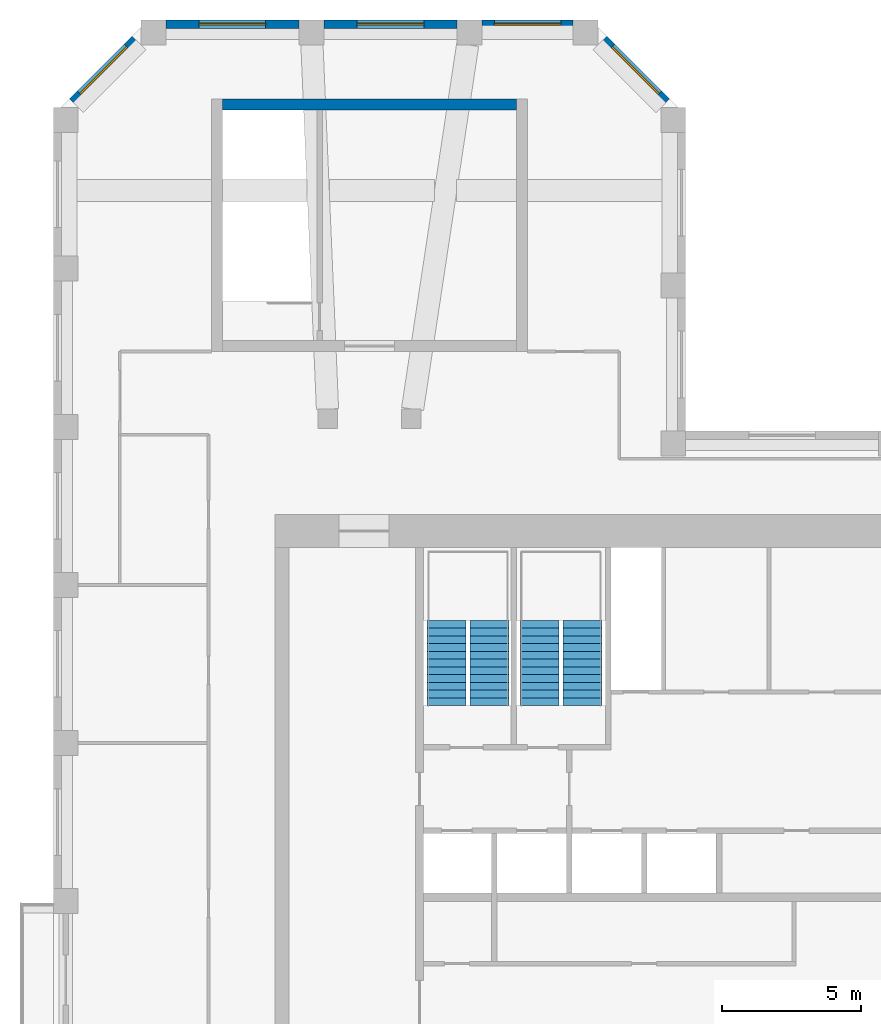
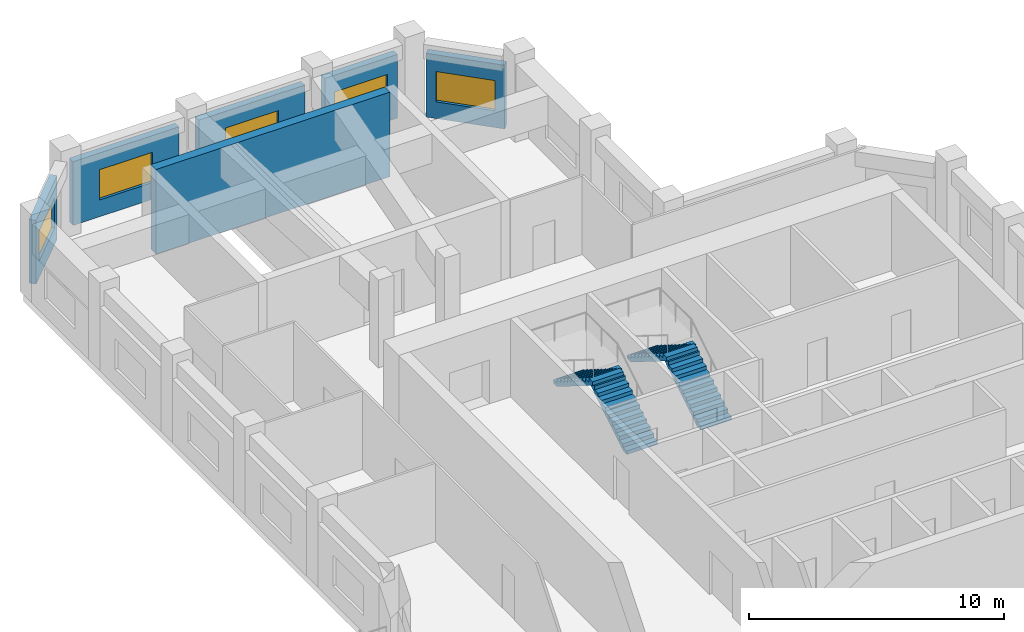
# One storey, part 7 of 8: 6 walls, 5 windows, 4 stair flights, 5 openings, 2 elements without a shape of their own.
"""IFC4 building model written with IfcOpenShell, lengths in metres."""

from ifc_helpers import new_model, si_unit, direction, frame, frame_2d, origin, place, context, subcontext, project, spatial, polyline, rectangle, outline, extrude, material, layer, layer_set, type_object, element, fill, aggregate, save


model = new_model("IFC4")

# Units and contexts
model_context = context("Model", 3, precision=1e-05, world=origin(), true_north=direction((0.0, 1.0)))
body_context = subcontext(model_context, "Body", "Model", "MODEL_VIEW")
ifc_project = project(units=[si_unit("LENGTHUNIT", "METRE"), si_unit("AREAUNIT", "SQUARE_METRE"), si_unit("VOLUMEUNIT", "CUBIC_METRE"), si_unit("PLANEANGLEUNIT", "RADIAN"), si_unit("MASSUNIT", "GRAM", prefix="KILO")], contexts=[model_context])

# Site, building, storey
site_placement = place(None, origin())
site = spatial("IfcSite", under=ifc_project, at=site_placement, CompositionType="ELEMENT")
building_placement = place(site_placement, origin())
building = spatial("IfcBuilding", under=site, at=building_placement, Name="Meshkara Civic Tower", CompositionType="ELEMENT")
storey_placement = place(building_placement, frame((0.0, 0.0, 396.0)))
storey = spatial("IfcBuildingStorey", under=building, at=storey_placement, Name="L91", CompositionType="ELEMENT", Elevation=396.0)

# Wall, opening, window
ifc_material_1 = material(Name="Insulated infill panel with bronze anodised aluminium cladding", Category="aluminium")
ifc_layer_1 = layer(ifc_material_1, 0.300048828125)
ifc_layer_set_1 = layer_set([ifc_layer_1], Name="EXTERNAL INFILL WALL 300")
wall_type_1 = type_object("IfcWallType", Name="EXTERNAL INFILL WALL 300", PredefinedType="SOLIDWALL", material=ifc_layer_set_1)
wall_1_placement = place(storey_placement, frame((22.112060546875, 51.77587890625, 0.0), z_axis=(0.0, 0.0, 1.0), x_axis=(-0.707106781187, 0.707106781187, 0.0)))
wall_1 = element("IfcWall", 1, at=wall_1_placement, inside=storey, type_object=wall_type_1, Name="External wall", PredefinedType="SOLIDWALL", context=body_context, shape_type="SweptSolid", body=[
    extrude(rectangle(XDim=3.190673828125, YDim=0.300048828125, at=frame_2d((1.59521484375, 0.0))), origin(), (0.0, 0.0, 1.0), 3.050048828125),
])
opening_1_placement = place(wall_1_placement, frame((0.39501953125, 0.0, 0.800048828125)))
opening_1 = element("IfcOpeningElement", 2, at=opening_1_placement, cuts=wall_1, Name="Opening W8", PredefinedType="OPENING", context=body_context, shape_type="SweptSolid", body=[
    extrude(rectangle(XDim=2.39990234375, YDim=1.449951171875, at=frame_2d((1.199951171875, 0.72509765625))), frame((0.0, 0.159912109375, 0.0), z_axis=(0.0, -1.0, 0.0), x_axis=(1.0, 0.0, 0.0)), (0.0, 0.0, 1.0), 0.320068359375),
])
ifc_material_2 = material(Name="Tinted double glazing", Category="glass")
window_type = type_object("IfcWindowType", Name="WINDOW 2400x1450", PartitioningType="DOUBLE_PANEL_VERTICAL", PredefinedType="WINDOW", material=ifc_material_2)
window_1_placement = place(opening_1_placement, origin())
window_1 = element("IfcWindow", 3, at=window_1_placement, inside=storey, type_object=window_type, Name="Window", OverallHeight=1.449951171875, OverallWidth=2.39990234375, PartitioningType="DOUBLE_PANEL_VERTICAL", PredefinedType="WINDOW", context=body_context, shape_type="SweptSolid", body=[
    extrude(rectangle(XDim=2.39990234375, YDim=1.449951171875, at=frame_2d((1.199951171875, 0.72509765625))), frame((0.0, 0.030029296875, 0.0), z_axis=(0.0, -1.0, 0.0), x_axis=(1.0, 0.0, 0.0)), (0.0, 0.0, 1.0), 0.06005859375),
])
fill(opening_1, window_1)

wall_2_placement = place(storey_placement, frame((18.743896484375, 54.570068359375, 0.0), z_axis=(0.0, 0.0, 1.0), x_axis=(-1.0, 0.0, 0.0)))
wall_2 = element("IfcWall", 4, at=wall_2_placement, inside=storey, type_object=wall_type_1, Name="External wall", PredefinedType="SOLIDWALL", context=body_context, shape_type="SweptSolid", body=[
    extrude(rectangle(XDim=3.287841796875, YDim=0.300048828125, at=frame_2d((1.64404296875, 0.0))), origin(), (0.0, 0.0, 1.0), 3.050048828125),
])
opening_2_placement = place(wall_2_placement, frame((0.444091796875, 0.0, 0.800048828125)))
opening_2 = element("IfcOpeningElement", 5, at=opening_2_placement, cuts=wall_2, Name="Opening W8", PredefinedType="OPENING", context=body_context, shape_type="SweptSolid", body=[
    extrude(rectangle(XDim=2.39990234375, YDim=1.449951171875, at=frame_2d((1.199951171875, 0.72509765625))), frame((0.0, 0.159912109375, 0.0), z_axis=(0.0, -1.0, 0.0), x_axis=(1.0, 0.0, 0.0)), (0.0, 0.0, 1.0), 0.320068359375),
])
window_2_placement = place(opening_2_placement, origin())
window_2 = element("IfcWindow", 6, at=window_2_placement, inside=storey, type_object=window_type, Name="Window", OverallHeight=1.449951171875, OverallWidth=2.39990234375, PartitioningType="DOUBLE_PANEL_VERTICAL", PredefinedType="WINDOW", context=body_context, shape_type="SweptSolid", body=[
    extrude(rectangle(XDim=2.39990234375, YDim=1.449951171875, at=frame_2d((1.199951171875, 0.72509765625))), frame((0.0, 0.030029296875, 0.0), z_axis=(0.0, -1.0, 0.0), x_axis=(1.0, 0.0, 0.0)), (0.0, 0.0, 1.0), 0.06005859375),
])
fill(opening_2, window_2)

wall_3_placement = place(storey_placement, frame((14.555908203125, 54.570068359375, 0.0), z_axis=(0.0, 0.0, 1.0), x_axis=(-1.0, 0.0, 0.0)))
wall_3 = element("IfcWall", 7, at=wall_3_placement, inside=storey, type_object=wall_type_1, Name="External wall", PredefinedType="SOLIDWALL", context=body_context, shape_type="SweptSolid", body=[
    extrude(rectangle(XDim=4.7998046875, YDim=0.300048828125, at=frame_2d((2.39990234375, 0.0))), origin(), (0.0, 0.0, 1.0), 3.050048828125),
])
opening_3_placement = place(wall_3_placement, frame((1.199951171875, 0.0, 0.800048828125)))
opening_3 = element("IfcOpeningElement", 8, at=opening_3_placement, cuts=wall_3, Name="Opening W8", PredefinedType="OPENING", context=body_context, shape_type="SweptSolid", body=[
    extrude(rectangle(XDim=2.39990234375, YDim=1.449951171875, at=frame_2d((1.199951171875, 0.72509765625))), frame((0.0, 0.159912109375, 0.0), z_axis=(0.0, -1.0, 0.0), x_axis=(1.0, 0.0, 0.0)), (0.0, 0.0, 1.0), 0.320068359375),
])
window_3_placement = place(opening_3_placement, origin())
window_3 = element("IfcWindow", 9, at=window_3_placement, inside=storey, type_object=window_type, Name="Window", OverallHeight=1.449951171875, OverallWidth=2.39990234375, PartitioningType="DOUBLE_PANEL_VERTICAL", PredefinedType="WINDOW", context=body_context, shape_type="SweptSolid", body=[
    extrude(rectangle(XDim=2.39990234375, YDim=1.449951171875, at=frame_2d((1.199951171875, 0.72509765625))), frame((0.0, 0.030029296875, 0.0), z_axis=(0.0, -1.0, 0.0), x_axis=(1.0, 0.0, 0.0)), (0.0, 0.0, 1.0), 0.06005859375),
])
fill(opening_3, window_3)

wall_4_placement = place(storey_placement, frame((8.85595703125, 54.570068359375, 0.0), z_axis=(0.0, 0.0, 1.0), x_axis=(-1.0, 0.0, 0.0)))
wall_4 = element("IfcWall", 10, at=wall_4_placement, inside=storey, type_object=wall_type_1, Name="External wall", PredefinedType="SOLIDWALL", context=body_context, shape_type="SweptSolid", body=[
    extrude(rectangle(XDim=4.800048828125, YDim=0.300048828125, at=frame_2d((2.39990234375, 0.0))), origin(), (0.0, 0.0, 1.0), 3.050048828125),
])
opening_4_placement = place(wall_4_placement, frame((1.199951171875, 0.0, 0.800048828125)))
opening_4 = element("IfcOpeningElement", 11, at=opening_4_placement, cuts=wall_4, Name="Opening W8", PredefinedType="OPENING", context=body_context, shape_type="SweptSolid", body=[
    extrude(rectangle(XDim=2.39990234375, YDim=1.449951171875, at=frame_2d((1.199951171875, 0.72509765625))), frame((0.0, 0.159912109375, 0.0), z_axis=(0.0, -1.0, 0.0), x_axis=(1.0, 0.0, 0.0)), (0.0, 0.0, 1.0), 0.320068359375),
])
window_4_placement = place(opening_4_placement, origin())
window_4 = element("IfcWindow", 12, at=window_4_placement, inside=storey, type_object=window_type, Name="Window", OverallHeight=1.449951171875, OverallWidth=2.39990234375, PartitioningType="DOUBLE_PANEL_VERTICAL", PredefinedType="WINDOW", context=body_context, shape_type="SweptSolid", body=[
    extrude(rectangle(XDim=2.39990234375, YDim=1.449951171875, at=frame_2d((1.199951171875, 0.72509765625))), frame((0.0, 0.030029296875, 0.0), z_axis=(0.0, -1.0, 0.0), x_axis=(1.0, 0.0, 0.0)), (0.0, 0.0, 1.0), 0.06005859375),
])
fill(opening_4, window_4)

wall_5_placement = place(storey_placement, frame((2.944091796875, 54.031982421875, 0.0), z_axis=(0.0, 0.0, 1.0), x_axis=(-0.707106781187, -0.707106781187, 0.0)))
wall_5 = element("IfcWall", 13, at=wall_5_placement, inside=storey, type_object=wall_type_1, Name="External wall", PredefinedType="SOLIDWALL", context=body_context, shape_type="SweptSolid", body=[
    extrude(rectangle(XDim=3.190673828125, YDim=0.300048828125, at=frame_2d((1.59521484375, 0.0))), origin(), (0.0, 0.0, 1.0), 3.050048828125),
])
opening_5_placement = place(wall_5_placement, frame((0.39501953125, 0.0, 0.800048828125)))
opening_5 = element("IfcOpeningElement", 14, at=opening_5_placement, cuts=wall_5, Name="Opening W8", PredefinedType="OPENING", context=body_context, shape_type="SweptSolid", body=[
    extrude(rectangle(XDim=2.39990234375, YDim=1.449951171875, at=frame_2d((1.199951171875, 0.72509765625))), frame((0.0, 0.159912109375, 0.0), z_axis=(0.0, -1.0, 0.0), x_axis=(1.0, 0.0, 0.0)), (0.0, 0.0, 1.0), 0.320068359375),
])
window_5_placement = place(opening_5_placement, origin())
window_5 = element("IfcWindow", 15, at=window_5_placement, inside=storey, type_object=window_type, Name="Window", OverallHeight=1.449951171875, OverallWidth=2.39990234375, PartitioningType="DOUBLE_PANEL_VERTICAL", PredefinedType="WINDOW", context=body_context, shape_type="SweptSolid", body=[
    extrude(rectangle(XDim=2.39990234375, YDim=1.449951171875, at=frame_2d((1.199951171875, 0.72509765625))), frame((0.0, 0.030029296875, 0.0), z_axis=(0.0, -1.0, 0.0), x_axis=(1.0, 0.0, 0.0)), (0.0, 0.0, 1.0), 0.06005859375),
])
fill(opening_5, window_5)

# Wall
ifc_material_3 = material(Name="Concrete C50", Category="concrete")
ifc_layer_2 = layer(ifc_material_3, 0.39990234375)
ifc_layer_set_2 = layer_set([ifc_layer_2], Name="End core ring wall 400 C50")
wall_type_2 = type_object("IfcWallType", Name="End core ring wall 400 C50", PredefinedType="SHEAR", material=ifc_layer_set_2)
wall_6_placement = place(storey_placement, frame((6.10009765625, 51.669921875, -0.300048828125), z_axis=(0.0, 0.0, 1.0), x_axis=(1.0, 0.0, 0.0)))
element("IfcWall", 16, at=wall_6_placement, inside=storey, type_object=wall_type_2, Name="L91-C030", PredefinedType="SHEAR", context=body_context, shape_type="SweptSolid", body=[
    extrude(rectangle(XDim=10.599853515625, YDim=0.39990234375, at=frame_2d((5.2998046875, 0.0))), origin(), (0.0, 0.0, 1.0), 4.050048828125),
])

# Stair, stair flights
ifc_material_4 = material(Name="Precast concrete C40/50", Category="concrete")
stair_type = type_object("IfcStairType", Name="Exit stair half-turn 24 risers precast", PredefinedType="HALF_TURN_STAIR", material=ifc_material_4)
stair_1_placement = place(storey_placement, origin())
stair_1 = element("IfcStair", 17, at=stair_1_placement, inside=storey, type_object=stair_type, Name="L91 exit stair 1", PredefinedType="HALF_TURN_STAIR")
ifc_material_5 = material(Name="Precast concrete C40/50", Category="concrete")
stair_flight_type = type_object("IfcStairFlightType", Name="Exit stair flight 12 risers precast", PredefinedType="STRAIGHT", material=ifc_material_5)
stair_flight_1_placement = place(storey_placement, frame((15.72509765625, 30.0, 0.0), z_axis=(0.0, 0.0, 1.0), x_axis=(0.0, 1.0, 0.0)))
stair_flight_1 = element("IfcStairFlight", 18, at=stair_flight_1_placement, type_object=stair_flight_type, Name="ST1 flight 1", NumberOfRisers=12, NumberOfTreads=11, PredefinedType="STRAIGHT", RiserHeight=0.175, TreadLength=0.28, context=body_context, shape_type="SweptSolid", body=[
    extrude(outline(polyline([(0.0, 0.0), (0.0, 0.175048828125), (0.280029296875, 0.175048828125), (0.280029296875, 0.35009765625), (0.56005859375, 0.35009765625), (0.56005859375, 0.52490234375), (0.840087890625, 0.52490234375), (0.840087890625, 0.699951171875), (1.1201171875, 0.699951171875), (1.1201171875, 0.875), (1.39990234375, 0.875), (1.39990234375, 1.050048828125), (1.679931640625, 1.050048828125), (1.679931640625, 1.22509765625), (1.9599609375, 1.22509765625), (1.9599609375, 1.39990234375), (2.239990234375, 1.39990234375), (2.239990234375, 1.574951171875), (2.52001953125, 1.574951171875), (2.52001953125, 1.75), (2.800048828125, 1.75), (2.800048828125, 1.925048828125), (3.080078125, 1.925048828125), (3.080078125, 2.10009765625), (3.080078125, 1.748291015625), (0.28271484375, 0.0), (0.0, 0.0)])), frame((0.0, 0.699951171875, 0.0), z_axis=(0.0, -1.0, 0.0), x_axis=(1.0, 0.0, 0.0)), (0.0, 0.0, 1.0), 1.39990234375),
])
stair_flight_2_placement = place(storey_placement, frame((14.175048828125, 33.080078125, 2.10009765625), z_axis=(0.0, 0.0, 1.0), x_axis=(0.0, -1.0, 0.0)))
stair_flight_2 = element("IfcStairFlight", 19, at=stair_flight_2_placement, type_object=stair_flight_type, Name="ST1 flight 2", NumberOfRisers=12, NumberOfTreads=11, PredefinedType="STRAIGHT", RiserHeight=0.175, TreadLength=0.28, context=body_context, shape_type="SweptSolid", body=[
    extrude(outline(polyline([(0.0, 0.0), (0.0, 0.175048828125), (0.280029296875, 0.175048828125), (0.280029296875, 0.35009765625), (0.56005859375, 0.35009765625), (0.56005859375, 0.52490234375), (0.840087890625, 0.52490234375), (0.840087890625, 0.699951171875), (1.1201171875, 0.699951171875), (1.1201171875, 0.875), (1.39990234375, 0.875), (1.39990234375, 1.050048828125), (1.679931640625, 1.050048828125), (1.679931640625, 1.22509765625), (1.9599609375, 1.22509765625), (1.9599609375, 1.39990234375), (2.239990234375, 1.39990234375), (2.239990234375, 1.574951171875), (2.52001953125, 1.574951171875), (2.52001953125, 1.75), (2.800048828125, 1.75), (2.800048828125, 1.925048828125), (3.080078125, 1.925048828125), (3.080078125, 2.10009765625), (3.080078125, 1.748291015625), (0.28271484375, 0.0), (0.0, 0.0)])), frame((0.0, 0.699951171875, 0.0), z_axis=(0.0, -1.0, 0.0), x_axis=(1.0, 0.0, 0.0)), (0.0, 0.0, 1.0), 1.39990234375),
])
aggregate(stair_1, [stair_flight_1, stair_flight_2])

stair_2_placement = place(storey_placement, origin())
stair_2 = element("IfcStair", 20, at=stair_2_placement, inside=storey, type_object=stair_type, Name="L91 exit stair 2", PredefinedType="HALF_TURN_STAIR")
stair_flight_3_placement = place(storey_placement, frame((19.074951171875, 30.0, 0.0), z_axis=(0.0, 0.0, 1.0), x_axis=(0.0, 1.0, 0.0)))
stair_flight_3 = element("IfcStairFlight", 21, at=stair_flight_3_placement, type_object=stair_flight_type, Name="ST2 flight 1", NumberOfRisers=12, NumberOfTreads=11, PredefinedType="STRAIGHT", RiserHeight=0.175, TreadLength=0.28, context=body_context, shape_type="SweptSolid", body=[
    extrude(outline(polyline([(0.0, 0.0), (0.0, 0.175048828125), (0.280029296875, 0.175048828125), (0.280029296875, 0.35009765625), (0.56005859375, 0.35009765625), (0.56005859375, 0.52490234375), (0.840087890625, 0.52490234375), (0.840087890625, 0.699951171875), (1.1201171875, 0.699951171875), (1.1201171875, 0.875), (1.39990234375, 0.875), (1.39990234375, 1.050048828125), (1.679931640625, 1.050048828125), (1.679931640625, 1.22509765625), (1.9599609375, 1.22509765625), (1.9599609375, 1.39990234375), (2.239990234375, 1.39990234375), (2.239990234375, 1.574951171875), (2.52001953125, 1.574951171875), (2.52001953125, 1.75), (2.800048828125, 1.75), (2.800048828125, 1.925048828125), (3.080078125, 1.925048828125), (3.080078125, 2.10009765625), (3.080078125, 1.748291015625), (0.28271484375, 0.0), (0.0, 0.0)])), frame((0.0, 0.699951171875, 0.0), z_axis=(0.0, -1.0, 0.0), x_axis=(1.0, 0.0, 0.0)), (0.0, 0.0, 1.0), 1.39990234375),
])
stair_flight_4_placement = place(storey_placement, frame((17.52490234375, 33.080078125, 2.10009765625), z_axis=(0.0, 0.0, 1.0), x_axis=(0.0, -1.0, 0.0)))
stair_flight_4 = element("IfcStairFlight", 22, at=stair_flight_4_placement, type_object=stair_flight_type, Name="ST2 flight 2", NumberOfRisers=12, NumberOfTreads=11, PredefinedType="STRAIGHT", RiserHeight=0.175, TreadLength=0.28, context=body_context, shape_type="SweptSolid", body=[
    extrude(outline(polyline([(0.0, 0.0), (0.0, 0.175048828125), (0.280029296875, 0.175048828125), (0.280029296875, 0.35009765625), (0.56005859375, 0.35009765625), (0.56005859375, 0.52490234375), (0.840087890625, 0.52490234375), (0.840087890625, 0.699951171875), (1.1201171875, 0.699951171875), (1.1201171875, 0.875), (1.39990234375, 0.875), (1.39990234375, 1.050048828125), (1.679931640625, 1.050048828125), (1.679931640625, 1.22509765625), (1.9599609375, 1.22509765625), (1.9599609375, 1.39990234375), (2.239990234375, 1.39990234375), (2.239990234375, 1.574951171875), (2.52001953125, 1.574951171875), (2.52001953125, 1.75), (2.800048828125, 1.75), (2.800048828125, 1.925048828125), (3.080078125, 1.925048828125), (3.080078125, 2.10009765625), (3.080078125, 1.748291015625), (0.28271484375, 0.0), (0.0, 0.0)])), frame((0.0, 0.699951171875, 0.0), z_axis=(0.0, -1.0, 0.0), x_axis=(1.0, 0.0, 0.0)), (0.0, 0.0, 1.0), 1.39990234375),
])
aggregate(stair_2, [stair_flight_3, stair_flight_4])

save(model, "model.ifc")
